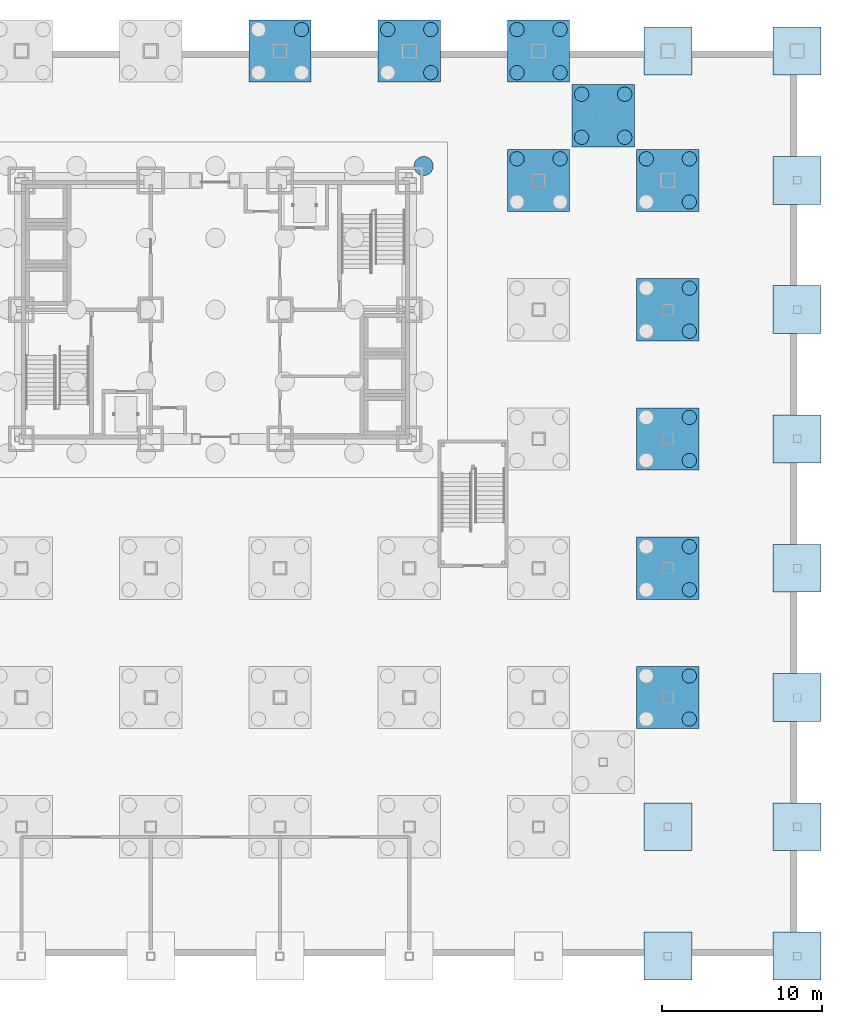
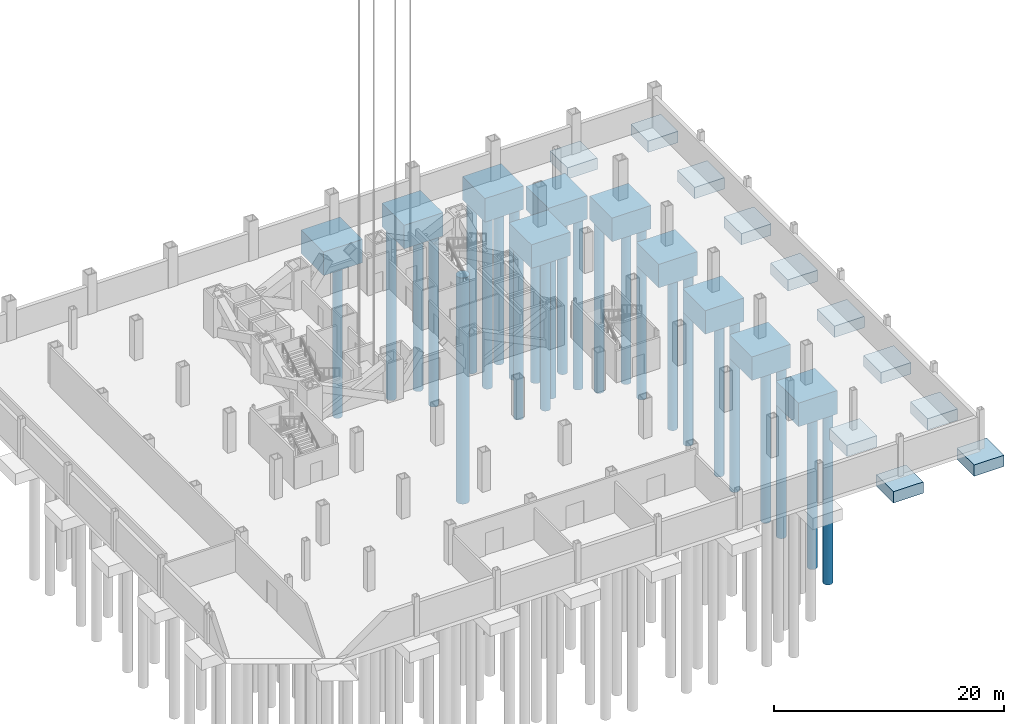
# One storey, part 2 of 17: 26 piles, 21 footings.
"""IFC4 building model written with IfcOpenShell, lengths in metres."""

from ifc_helpers import new_model, si_unit, direction, frame, origin, origin_2d, place, context, subcontext, project, spatial, rectangle, circle, extrude, material, material_profile, profile_set, type_object, element, save


model = new_model("IFC4")

# Units and contexts
model_context = context("Model", 3, precision=1e-05, world=origin(), true_north=direction((0.0, 1.0)))
body_context = subcontext(model_context, "Body", "Model", "MODEL_VIEW")
ifc_project = project(units=[si_unit("LENGTHUNIT", "METRE"), si_unit("AREAUNIT", "SQUARE_METRE"), si_unit("VOLUMEUNIT", "CUBIC_METRE"), si_unit("PLANEANGLEUNIT", "RADIAN"), si_unit("MASSUNIT", "GRAM", prefix="KILO")], contexts=[model_context])

# Site, building, storey
site_placement = place(None, origin())
site = spatial("IfcSite", under=ifc_project, at=site_placement, CompositionType="ELEMENT")
building_placement = place(site_placement, origin())
building = spatial("IfcBuilding", under=site, at=building_placement, Name="Kopane Lantern Tower", CompositionType="ELEMENT")
storey_placement = place(building_placement, frame((0.0, 0.0, -8.39990234375)))
storey = spatial("IfcBuildingStorey", under=building, at=storey_placement, Name="L-02", CompositionType="ELEMENT", Elevation=-8.39990234375)

# Footings
ifc_material_1 = material(Name="Concrete C35/45", Category="concrete")
footing_type_1 = type_object("IfcFootingType", Name="PAD FOOTING 3000", PredefinedType="PAD_FOOTING", material=ifc_material_1)
for number, where, z_axis, x_axis, name in (
    (1, (56.699951171875, -8.10009765625, -1.60009765625), (0.0, 0.0, 1.0), (1.0, 0.0, 0.0), "Pad footing 9/A"),
    (2, (56.699951171875, 0.0, -1.60009765625), (0.0, 0.0, 1.0), (1.0, 0.0, 0.0), "Pad footing 9/B"),
    (3, (56.699951171875, 48.60009765625, -1.60009765625), (0.0, 0.0, 1.0), (1.0, 0.0, 0.0), "Pad footing 9/H"),
    (4, (64.800048828125, -8.10009765625, -1.60009765625), (0.0, 0.0, 1.0), (1.0, 0.0, 0.0), "Pad footing 10/A"),
    (5, (64.800048828125, 0.0, -1.60009765625), (0.0, 0.0, 1.0), (1.0, 0.0, 0.0), "Pad footing 10/B"),
    (6, (64.800048828125, 8.10009765625, -1.60009765625), (0.0, 0.0, 1.0), (1.0, 0.0, 0.0), "Pad footing 10/C"),
    (7, (64.800048828125, 16.199951171875, -1.60009765625), (0.0, 0.0, 1.0), (1.0, 0.0, 0.0), "Pad footing 10/D"),
    (8, (64.800048828125, 24.300048828125, -1.60009765625), (0.0, 0.0, 1.0), (1.0, 0.0, 0.0), "Pad footing 10/E"),
    (9, (64.800048828125, 32.39990234375, -1.60009765625), (0.0, 0.0, 1.0), (1.0, 0.0, 0.0), "Pad footing 10/F"),
    (10, (64.800048828125, 40.5, -1.60009765625), (0.0, 0.0, 1.0), (1.0, 0.0, 0.0), "Pad footing 10/G"),
    (11, (64.800048828125, 48.60009765625, -1.60009765625), (0.0, 0.0, 1.0), (1.0, 0.0, 0.0), "Pad footing 10/H"),
):
    element("IfcFooting", number, at=place(storey_placement, frame(where, z_axis=z_axis, x_axis=x_axis)), inside=storey, type_object=footing_type_1, Name=name, PredefinedType="PAD_FOOTING", context=body_context, shape_type="SweptSolid", body=[
        extrude(rectangle(XDim=3.0, YDim=3.0, at=origin_2d()), origin(), (0.0, 0.0, 1.0), 1.199951171875),
    ])

# Piles
ifc_material_2 = material(Name="Concrete C35/45", Category="concrete")
ifc_material_profile_1 = material_profile(ifc_material_2, circle(Radius=0.60009765625, at=origin_2d()), Name="D1200")
ifc_profile_set_1 = profile_set([ifc_material_profile_1], Name="Concrete C35/45")
pile_type_1 = type_object("IfcPileType", Name="PILE BORED 1200", PredefinedType="BORED", material=ifc_profile_set_1)
pile_placement = place(storey_placement, frame((41.39990234375, 41.39990234375, -3.400146484375), z_axis=(0.0, 0.0, -1.0), x_axis=(1.0, 0.0, 0.0)))
element("IfcPile", 12, at=pile_placement, inside=storey, type_object=pile_type_1, Name="Core raft pile 35", PredefinedType="BORED", context=body_context, shape_type="SweptSolid", body=[
    extrude(circle(Radius=0.60009765625, at=origin_2d()), origin(), (0.0, 0.0, 1.0), 24.0),
])
ifc_material_3 = material(Name="Concrete C35/45", Category="concrete")
ifc_material_profile_2 = material_profile(ifc_material_3, circle(Radius=0.449951171875, at=origin_2d()), Name="D900")
ifc_profile_set_2 = profile_set([ifc_material_profile_2], Name="Concrete C35/45")
pile_type_2 = type_object("IfcPileType", Name="PILE BORED 900", PredefinedType="BORED", material=ifc_profile_set_2)
for number, where, z_axis, x_axis, name in (
    (13, (33.75, 49.949951171875, -2.900146484375), (0.0, 0.0, -1.0), (1.0, 0.0, 0.0), "Pile 6/H-3"),
    (14, (41.85009765625, 47.25, -2.900146484375), (0.0, 0.0, -1.0), (1.0, 0.0, 0.0), "Pile 7/H-2"),
    (15, (41.85009765625, 49.949951171875, -2.900146484375), (0.0, 0.0, -1.0), (1.0, 0.0, 0.0), "Pile 7/H-3"),
    (16, (39.14990234375, 49.949951171875, -2.900146484375), (0.0, 0.0, -1.0), (1.0, 0.0, 0.0), "Pile 7/H-4"),
    (17, (49.949951171875, 41.85009765625, -2.900146484375), (0.0, 0.0, -1.0), (1.0, 0.0, 0.0), "Pile 8/G-3"),
    (18, (47.25, 41.85009765625, -2.900146484375), (0.0, 0.0, -1.0), (1.0, 0.0, 0.0), "Pile 8/G-4"),
    (19, (47.25, 47.25, -2.900146484375), (0.0, 0.0, -1.0), (1.0, 0.0, 0.0), "Pile 8/H-1"),
    (20, (49.949951171875, 47.25, -2.900146484375), (0.0, 0.0, -1.0), (1.0, 0.0, 0.0), "Pile 8/H-2"),
    (21, (49.949951171875, 49.949951171875, -2.900146484375), (0.0, 0.0, -1.0), (1.0, 0.0, 0.0), "Pile 8/H-3"),
    (22, (47.25, 49.949951171875, -2.900146484375), (0.0, 0.0, -1.0), (1.0, 0.0, 0.0), "Pile 8/H-4"),
    (23, (51.300048828125, 43.199951171875, -2.900146484375), (0.0, 0.0, -1.0), (1.0, 0.0, 0.0), "Pile 52.65/44.55-1"),
    (24, (54.0, 43.199951171875, -2.900146484375), (0.0, 0.0, -1.0), (1.0, 0.0, 0.0), "Pile 52.65/44.55-2"),
    (25, (54.0, 45.89990234375, -2.900146484375), (0.0, 0.0, -1.0), (1.0, 0.0, 0.0), "Pile 52.65/44.55-3"),
    (26, (51.300048828125, 45.89990234375, -2.900146484375), (0.0, 0.0, -1.0), (1.0, 0.0, 0.0), "Pile 52.65/44.55-4"),
    (27, (58.050048828125, 6.75, -2.900146484375), (0.0, 0.0, -1.0), (1.0, 0.0, 0.0), "Pile 9/C-2"),
    (28, (58.050048828125, 9.449951171875, -2.900146484375), (0.0, 0.0, -1.0), (1.0, 0.0, 0.0), "Pile 9/C-3"),
    (29, (58.050048828125, 14.85009765625, -2.900146484375), (0.0, 0.0, -1.0), (1.0, 0.0, 0.0), "Pile 9/D-2"),
    (30, (58.050048828125, 17.550048828125, -2.900146484375), (0.0, 0.0, -1.0), (1.0, 0.0, 0.0), "Pile 9/D-3"),
    (31, (58.050048828125, 22.949951171875, -2.900146484375), (0.0, 0.0, -1.0), (1.0, 0.0, 0.0), "Pile 9/E-2"),
    (32, (58.050048828125, 25.64990234375, -2.900146484375), (0.0, 0.0, -1.0), (1.0, 0.0, 0.0), "Pile 9/E-3"),
    (33, (58.050048828125, 31.050048828125, -2.900146484375), (0.0, 0.0, -1.0), (1.0, 0.0, 0.0), "Pile 9/F-2"),
    (34, (58.050048828125, 33.75, -2.900146484375), (0.0, 0.0, -1.0), (1.0, 0.0, 0.0), "Pile 9/F-3"),
    (35, (58.050048828125, 39.14990234375, -2.900146484375), (0.0, 0.0, -1.0), (1.0, 0.0, 0.0), "Pile 9/G-2"),
    (36, (58.050048828125, 41.85009765625, -2.900146484375), (0.0, 0.0, -1.0), (1.0, 0.0, 0.0), "Pile 9/G-3"),
    (37, (55.35009765625, 41.85009765625, -2.900146484375), (0.0, 0.0, -1.0), (1.0, 0.0, 0.0), "Pile 9/G-4"),
):
    element("IfcPile", number, at=place(storey_placement, frame(where, z_axis=z_axis, x_axis=x_axis)), inside=storey, type_object=pile_type_2, Name=name, PredefinedType="BORED", context=body_context, shape_type="SweptSolid", body=[
        extrude(circle(Radius=0.449951171875, at=origin_2d()), origin(), (0.0, 0.0, 1.0), 18.0),
    ])

# Footings
ifc_material_4 = material(Name="Concrete C35/45", Category="concrete")
footing_type_2 = type_object("IfcFootingType", Name="PILE CAP 4P 3900", PredefinedType="PILE_CAP", material=ifc_material_4)
for number, where, z_axis, x_axis, name in (
    (38, (32.39990234375, 48.60009765625, -2.900146484375), (0.0, 0.0, 1.0), (1.0, 0.0, 0.0), "Pile cap 6/H"),
    (39, (40.5, 48.60009765625, -2.900146484375), (0.0, 0.0, 1.0), (1.0, 0.0, 0.0), "Pile cap 7/H"),
    (40, (48.60009765625, 40.5, -2.900146484375), (0.0, 0.0, 1.0), (1.0, 0.0, 0.0), "Pile cap 8/G"),
    (41, (48.60009765625, 48.60009765625, -2.900146484375), (0.0, 0.0, 1.0), (1.0, 0.0, 0.0), "Pile cap 8/H"),
    (42, (52.64990234375, 44.550048828125, -2.900146484375), (0.0, 0.0, 1.0), (1.0, 0.0, 0.0), "Pile cap 52.65/44.55"),
    (43, (56.699951171875, 8.10009765625, -2.900146484375), (0.0, 0.0, 1.0), (1.0, 0.0, 0.0), "Pile cap 9/C"),
    (44, (56.699951171875, 16.199951171875, -2.900146484375), (0.0, 0.0, 1.0), (1.0, 0.0, 0.0), "Pile cap 9/D"),
    (45, (56.699951171875, 24.300048828125, -2.900146484375), (0.0, 0.0, 1.0), (1.0, 0.0, 0.0), "Pile cap 9/E"),
    (46, (56.699951171875, 32.39990234375, -2.900146484375), (0.0, 0.0, 1.0), (1.0, 0.0, 0.0), "Pile cap 9/F"),
    (47, (56.699951171875, 40.5, -2.900146484375), (0.0, 0.0, 1.0), (1.0, 0.0, 0.0), "Pile cap 9/G"),
):
    element("IfcFooting", number, at=place(storey_placement, frame(where, z_axis=z_axis, x_axis=x_axis)), inside=storey, type_object=footing_type_2, Name=name, PredefinedType="PILE_CAP", context=body_context, shape_type="SweptSolid", body=[
        extrude(rectangle(XDim=3.89990234375, YDim=3.89990234375, at=origin_2d()), origin(), (0.0, 0.0, 1.0), 2.5),
    ])

save(model, "model.ifc")
